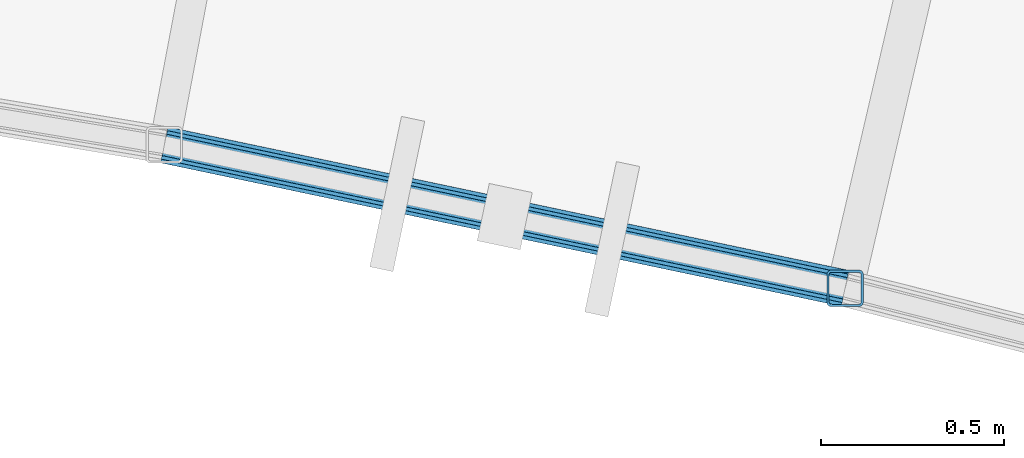
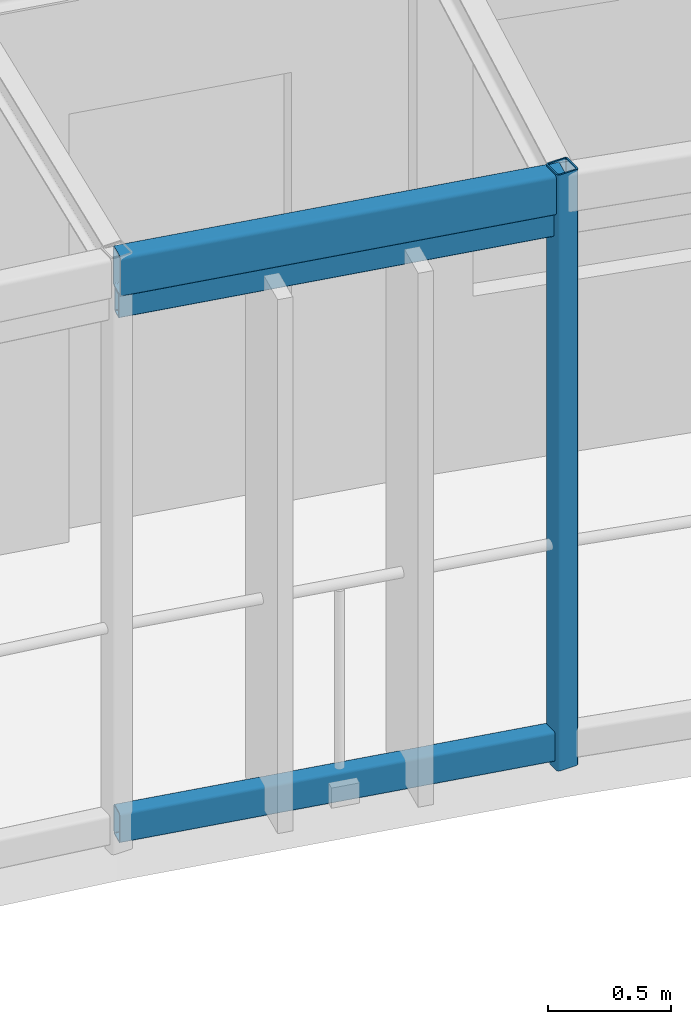
# One storey, part 30 of 101: 3 members, 1 beam.
"""IFC4 building model written with IfcOpenShell, lengths in metres."""

from ifc_helpers import new_model, si_unit, direction, frame, origin, origin_2d, place, context, subcontext, project, spatial, hollow_rectangle, extrude, material, material_profile, profile_set, type_object, element, save


model = new_model("IFC4")

# Units and contexts
model_context = context("Model", 3, precision=1e-05, world=origin(), true_north=direction((0.0, 1.0)))
body_context = subcontext(model_context, "Body", "Model", "MODEL_VIEW")
ifc_project = project(units=[si_unit("LENGTHUNIT", "METRE"), si_unit("AREAUNIT", "SQUARE_METRE"), si_unit("VOLUMEUNIT", "CUBIC_METRE"), si_unit("PLANEANGLEUNIT", "RADIAN"), si_unit("MASSUNIT", "GRAM", prefix="KILO"), si_unit("POWERUNIT", "WATT"), si_unit("THERMODYNAMICTEMPERATUREUNIT", "KELVIN")], contexts=[model_context])

# Site, building, storey
site_placement = place(None, origin())
site = spatial("IfcSite", under=ifc_project, at=site_placement, CompositionType="ELEMENT")
building_placement = place(site_placement, origin())
building = spatial("IfcBuilding", under=site, at=building_placement, Name="Ruvembo Vaulted Housing Court", CompositionType="ELEMENT")
storey_placement = place(building_placement, frame((0.0, 0.0, 17.300048828125)))
storey = spatial("IfcBuildingStorey", under=building, at=storey_placement, Name="L05", CompositionType="ELEMENT", Elevation=17.300048828125)

# Beam
ifc_material = material(Name="Steel S355J2", Category="steel")
ifc_material_profile_1 = material_profile(ifc_material, hollow_rectangle(XDim=0.10009765625, YDim=0.199951171875, WallThickness=0.008056640625, InnerFilletRadius=0.008056640625, OuterFilletRadius=0.01611328125, at=origin_2d()), Name="RHS 200x100x8")
ifc_profile_set_1 = profile_set([ifc_material_profile_1], Name="Steel S355J2")
beam_type = type_object("IfcBeamType", Name="BM-ST-RHS200", PredefinedType="SPANDREL", material=ifc_profile_set_1)
beam_placement = place(storey_placement, frame((125.505615234375, 95.00341796875, 2.83203125), z_axis=(0.978529342624, -0.206107558387, 0.0), x_axis=(0.206107558387, 0.978529342624, 0.0)))
element("IfcBeam", 1, at=beam_placement, inside=storey, type_object=beam_type, Name="Scoop SC3 L05 Balcony Edge Spandrel 19", PredefinedType="SPANDREL", context=body_context, shape_type="SweptSolid", body=[
    extrude(hollow_rectangle(XDim=0.10009765625, YDim=0.199951171875, WallThickness=0.008056640625, InnerFilletRadius=0.008056640625, OuterFilletRadius=0.01611328125, at=origin_2d()), origin(), (0.0, 0.0, 1.0), 1.901123046875),
])

# Members
ifc_material_profile_2 = material_profile(ifc_material, hollow_rectangle(XDim=0.06005859375, YDim=0.1201171875, WallThickness=0.0048828125, InnerFilletRadius=0.0048828125, OuterFilletRadius=0.010009765625, at=origin_2d()), Name="RHS 120x60x5")
ifc_profile_set_2 = profile_set([ifc_material_profile_2], Name="Steel S355J2")
member_type_1 = type_object("IfcMemberType", Name="MEM-CAR-RHS120", PredefinedType="CHORD", material=ifc_profile_set_2)
member_1_placement = place(storey_placement, frame((125.505615234375, 95.00341796875, 2.675048828125), z_axis=(0.978529342624, -0.206107558387, 0.0), x_axis=(0.206107558387, 0.978529342624, 0.0)))
element("IfcMember", 2, at=member_1_placement, inside=storey, type_object=member_type_1, Name="Scoop SC3 L05 Upper Louvre Carrier Rail 19", PredefinedType="CHORD", context=body_context, shape_type="SweptSolid", body=[
    extrude(hollow_rectangle(XDim=0.06005859375, YDim=0.1201171875, WallThickness=0.0048828125, InnerFilletRadius=0.0048828125, OuterFilletRadius=0.010009765625, at=origin_2d()), origin(), (0.0, 0.0, 1.0), 1.901123046875),
])
ifc_material_profile_3 = material_profile(ifc_material, hollow_rectangle(XDim=0.080078125, YDim=0.14990234375, WallThickness=0.00634765625, InnerFilletRadius=0.00634765625, OuterFilletRadius=0.0126953125, at=origin_2d()), Name="RHS 150x80x6.3")
ifc_profile_set_3 = profile_set([ifc_material_profile_3], Name="Steel S355J2")
member_type_2 = type_object("IfcMemberType", Name="MEM-CAR-RHS150", PredefinedType="CHORD", material=ifc_profile_set_3)
member_2_placement = place(storey_placement, frame((125.505615234375, 95.00341796875, 0.094970703125), z_axis=(0.978529342624, -0.206107558387, 0.0), x_axis=(0.206107558387, 0.978529342624, 0.0)))
element("IfcMember", 3, at=member_2_placement, inside=storey, type_object=member_type_2, Name="Scoop SC3 L05 Lower Louvre Carrier Rail 19", PredefinedType="CHORD", context=body_context, shape_type="SweptSolid", body=[
    extrude(hollow_rectangle(XDim=0.080078125, YDim=0.14990234375, WallThickness=0.00634765625, InnerFilletRadius=0.00634765625, OuterFilletRadius=0.0126953125, at=origin_2d()), origin(), (0.0, 0.0, 1.0), 1.901123046875),
])
ifc_material_profile_4 = material_profile(ifc_material, hollow_rectangle(XDim=0.10009765625, YDim=0.10009765625, WallThickness=0.00634765625, InnerFilletRadius=0.00634765625, OuterFilletRadius=0.0126953125, at=origin_2d()), Name="SHS 100x100x6.3")
ifc_profile_set_4 = profile_set([ifc_material_profile_4], Name="Steel S355J2")
member_type_3 = type_object("IfcMemberType", Name="MEM-FRM-SHS100", PredefinedType="STRUT", material=ifc_profile_set_4)
member_3_placement = place(storey_placement, frame((127.365966796875, 94.611572265625, -0.01513671875), z_axis=(0.0, 0.0, 1.0), x_axis=(1.0, 0.0, 0.0)))
element("IfcMember", 4, at=member_3_placement, inside=storey, type_object=member_type_3, Name="Scoop SC3 L05 Louvre Frame Post 20", PredefinedType="STRUT", context=body_context, shape_type="SweptSolid", body=[
    extrude(hollow_rectangle(XDim=0.10009765625, YDim=0.10009765625, WallThickness=0.00634765625, InnerFilletRadius=0.00634765625, OuterFilletRadius=0.0126953125, at=origin_2d()), origin(), (0.0, 0.0, 1.0), 2.953125),
])

save(model, "model.ifc")
